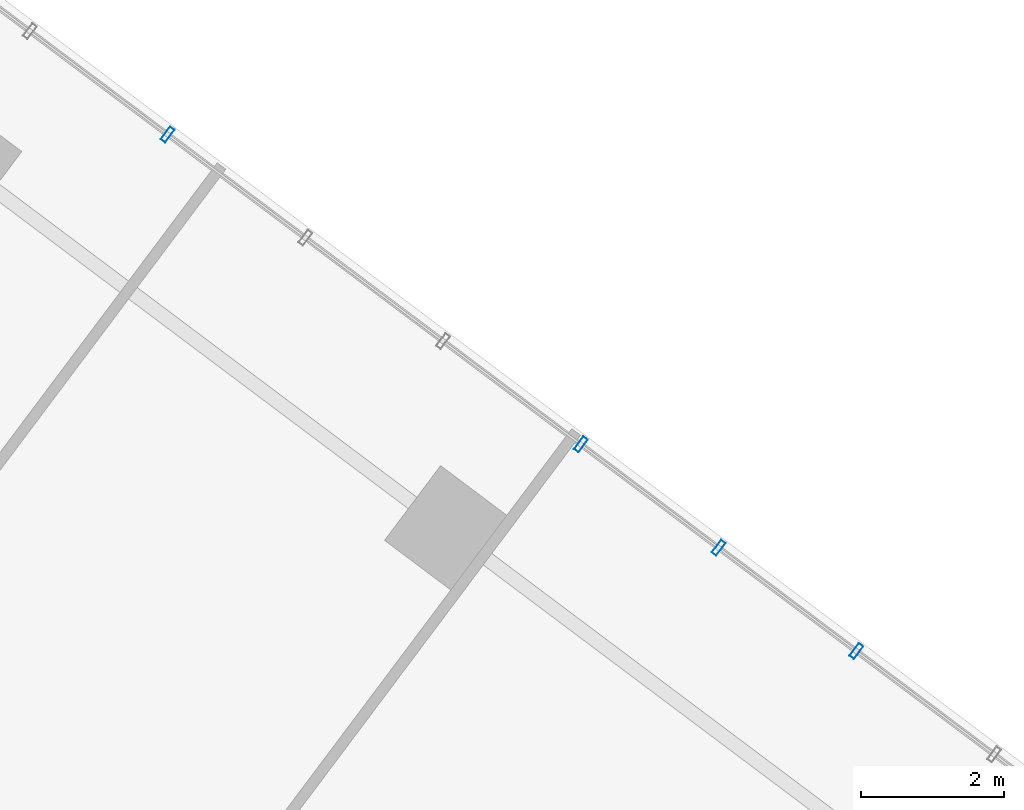
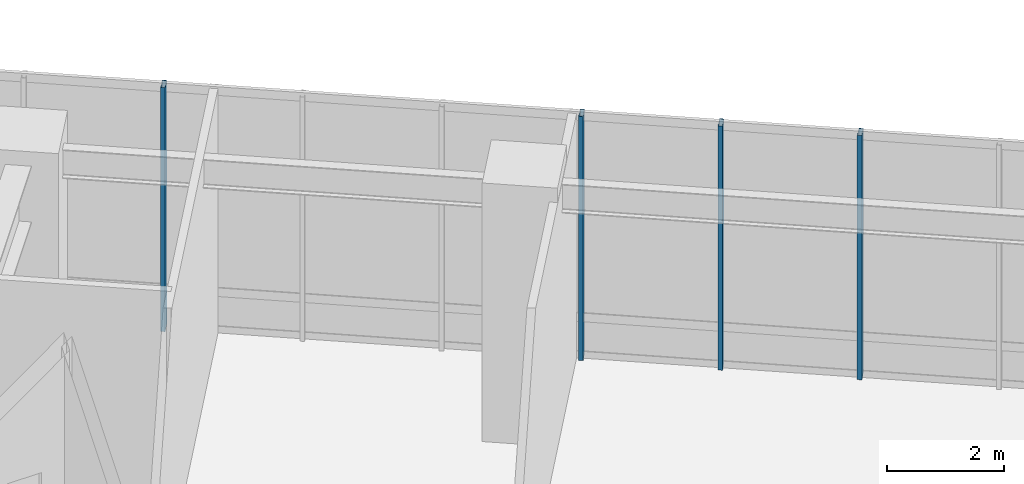
# One storey, part 7 of 35: 4 members, 1 element without a shape of its own.
"""IFC4 building model written with IfcOpenShell, lengths in metres."""

from ifc_helpers import new_model, si_unit, direction, frame, origin, origin_2d, place, context, subcontext, project, spatial, hollow_rectangle, extrude, material, layer, layer_set, material_profile, profile_set, type_object, element, aggregate, save


model = new_model("IFC4")

# Units and contexts
model_context = context("Model", 3, precision=1e-05, world=origin(), true_north=direction((0.0, 1.0)))
body_context = subcontext(model_context, "Body", "Model", "MODEL_VIEW")
ifc_project = project(units=[si_unit("LENGTHUNIT", "METRE"), si_unit("AREAUNIT", "SQUARE_METRE"), si_unit("VOLUMEUNIT", "CUBIC_METRE"), si_unit("PLANEANGLEUNIT", "RADIAN"), si_unit("MASSUNIT", "GRAM", prefix="KILO")], contexts=[model_context])

# Site, building, storey
site_placement = place(None, origin())
site = spatial("IfcSite", under=ifc_project, at=site_placement, CompositionType="ELEMENT")
building_placement = place(site_placement, origin())
building = spatial("IfcBuilding", under=site, at=building_placement, Name="Hatsunagi Terrace Concourse", CompositionType="ELEMENT")
storey_placement = place(building_placement, frame((0.0, 0.0, 5.39990234375)))
storey = spatial("IfcBuildingStorey", under=building, at=storey_placement, Name="L02", CompositionType="ELEMENT", Elevation=5.39990234375)

# Curtain wall, members
ifc_material_1 = material(Name="Anodised Aluminium Alloy 6063-T5", Category="aluminium")
ifc_layer = layer(ifc_material_1, 0.199951171875)
ifc_layer_set = layer_set([ifc_layer], Name="PodiumStorefront_CW01")
curtain_wall_type = type_object("IfcCurtainWallType", Name="PodiumStorefront_CW01", PredefinedType="NOTDEFINED", material=ifc_layer_set)
curtain_wall_placement = place(storey_placement, origin())
curtain_wall = element("IfcCurtainWall", 1, at=curtain_wall_placement, inside=storey, type_object=curtain_wall_type, Name="Unitised Curtain Wall CW-01 CW-L02-01", PredefinedType="NOTDEFINED")
ifc_material_2 = material(Name="Anodised Aluminium Alloy 6063-T5", Category="aluminium")
ifc_material_profile = material_profile(ifc_material_2, hollow_rectangle(XDim=0.080078125, YDim=0.219970703125, WallThickness=0.0048828125, at=origin_2d()), Name="ALU-MUL-220x80x5")
ifc_profile_set = profile_set([ifc_material_profile], Name="Anodised Aluminium Alloy 6063-T5")
member_type = type_object("IfcMemberType", Name="CurtainWallMullion_Heavy_220x80", PredefinedType="MULLION", material=ifc_profile_set)
member_1_placement = place(storey_placement, frame((54.464111328125, 33.527099609375, 0.0), z_axis=(0.0, 0.0, 1.0), x_axis=(0.800007305671, -0.599990258982, 0.0)))
member_1 = element("IfcMember", 2, at=member_1_placement, type_object=member_type, Name="Curtain Wall Mullion MUL-01", PredefinedType="MULLION", context=body_context, shape_type="SweptSolid", body=[
    extrude(hollow_rectangle(XDim=0.080078125, YDim=0.219970703125, WallThickness=0.0048828125, at=origin_2d()), origin(), (0.0, 0.0, 1.0), 5.10009765625),
])
member_2_placement = place(storey_placement, frame((60.22607421875, 29.2060546875, 0.0), z_axis=(0.0, 0.0, 1.0), x_axis=(0.800007305671, -0.599990258982, 0.0)))
member_2 = element("IfcMember", 3, at=member_2_placement, type_object=member_type, Name="Curtain Wall Mullion MUL-01", PredefinedType="MULLION", context=body_context, shape_type="SweptSolid", body=[
    extrude(hollow_rectangle(XDim=0.080078125, YDim=0.219970703125, WallThickness=0.0048828125, at=origin_2d()), origin(), (0.0, 0.0, 1.0), 5.10009765625),
])
member_3_placement = place(storey_placement, frame((62.14697265625, 27.764892578125, 0.0), z_axis=(0.0, 0.0, 1.0), x_axis=(0.800007305671, -0.599990258982, 0.0)))
member_3 = element("IfcMember", 4, at=member_3_placement, type_object=member_type, Name="Curtain Wall Mullion MUL-01", PredefinedType="MULLION", context=body_context, shape_type="SweptSolid", body=[
    extrude(hollow_rectangle(XDim=0.080078125, YDim=0.219970703125, WallThickness=0.0048828125, at=origin_2d()), origin(), (0.0, 0.0, 1.0), 5.10009765625),
])
member_4_placement = place(storey_placement, frame((64.068115234375, 26.324951171875, 0.0), z_axis=(0.0, 0.0, 1.0), x_axis=(0.800007305671, -0.599990258982, 0.0)))
member_4 = element("IfcMember", 5, at=member_4_placement, type_object=member_type, Name="Curtain Wall Mullion MUL-01", PredefinedType="MULLION", context=body_context, shape_type="SweptSolid", body=[
    extrude(hollow_rectangle(XDim=0.080078125, YDim=0.219970703125, WallThickness=0.0048828125, at=origin_2d()), origin(), (0.0, 0.0, 1.0), 5.10009765625),
])
aggregate(curtain_wall, [member_1, member_2, member_3, member_4])

save(model, "model.ifc")
